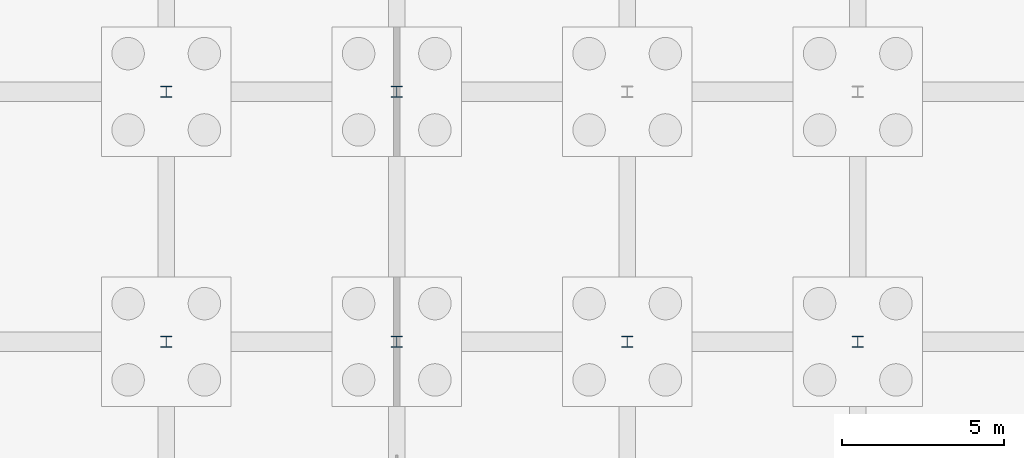
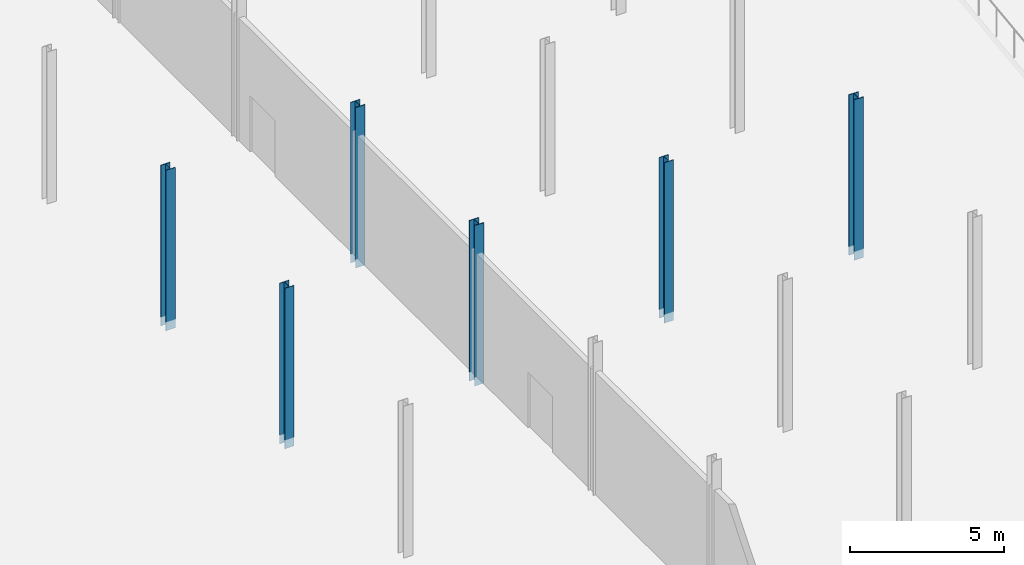
# One storey, part 35 of 139: 6 columns.
"""IFC4 building model written with IfcOpenShell, lengths in metres."""

from ifc_helpers import new_model, si_unit, direction, frame, origin, origin_2d, place, context, subcontext, project, spatial, i_section, extrude, material, material_profile, profile_set, type_object, element, save


model = new_model("IFC4")

# Units and contexts
model_context = context("Model", 3, precision=1e-05, world=origin(), true_north=direction((0.0, 1.0)))
body_context = subcontext(model_context, "Body", "Model", "MODEL_VIEW")
ifc_project = project(units=[si_unit("LENGTHUNIT", "METRE"), si_unit("AREAUNIT", "SQUARE_METRE"), si_unit("VOLUMEUNIT", "CUBIC_METRE"), si_unit("PLANEANGLEUNIT", "RADIAN"), si_unit("MASSUNIT", "GRAM", prefix="KILO")], contexts=[model_context])

# Site, building, storey
site_placement = place(None, origin())
site = spatial("IfcSite", under=ifc_project, at=site_placement, CompositionType="ELEMENT")
building_placement = place(site_placement, origin())
building = spatial("IfcBuilding", under=site, at=building_placement, Name="Kazenagashi Tramway Depot", CompositionType="ELEMENT")
storey_placement = place(building_placement, origin())
storey = spatial("IfcBuildingStorey", under=building, at=storey_placement, Name="L01", CompositionType="ELEMENT", Elevation=0.0)

# Columns
ifc_material = material(Name="Steel SN490B", Category="steel")
ifc_material_profile = material_profile(ifc_material, i_section(OverallWidth=0.35, OverallDepth=0.35, WebThickness=0.012, FlangeThickness=0.019, at=origin_2d()), Name="H-350x350x12x19")
ifc_profile_set = profile_set([ifc_material_profile], Name="Steel SN490B")
column_type = type_object("IfcColumnType", Name="C-04", PredefinedType="COLUMN", material=ifc_profile_set)
for number, where, z_axis, x_axis, name in (
    (1, (160.5, 30.8, -0.35), (0.0, 0.0, 1.0), (1.0, 0.0, 0.0), "Column C-04 COL-0402"),
    (2, (160.5, 38.5, -0.35), (0.0, 0.0, 1.0), (1.0, 0.0, 0.0), "Column C-04 COL-0404"),
    (3, (167.6, 30.8, -0.35), (0.0, 0.0, 1.0), (1.0, 0.0, 0.0), "Column C-04 COL-0427"),
    (4, (167.6, 38.5, -0.35), (0.0, 0.0, 1.0), (1.0, 0.0, 0.0), "Column C-04 COL-0429"),
    (5, (174.7, 30.8, -0.35), (0.0, 0.0, 1.0), (1.0, 0.0, 0.0), "Column C-04 COL-0452"),
    (6, (181.8, 30.8, -0.35), (0.0, 0.0, 1.0), (1.0, 0.0, 0.0), "Column C-04 COL-0477"),
):
    element("IfcColumn", number, at=place(storey_placement, frame(where, z_axis=z_axis, x_axis=x_axis)), inside=storey, type_object=column_type, Name=name, PredefinedType="COLUMN", context=body_context, shape_type="SweptSolid", body=[
        extrude(i_section(OverallWidth=0.35, OverallDepth=0.35, WebThickness=0.012, FlangeThickness=0.019, at=origin_2d()), origin(), (0.0, 0.0, 1.0), 6.35),
    ])

save(model, "model.ifc")
